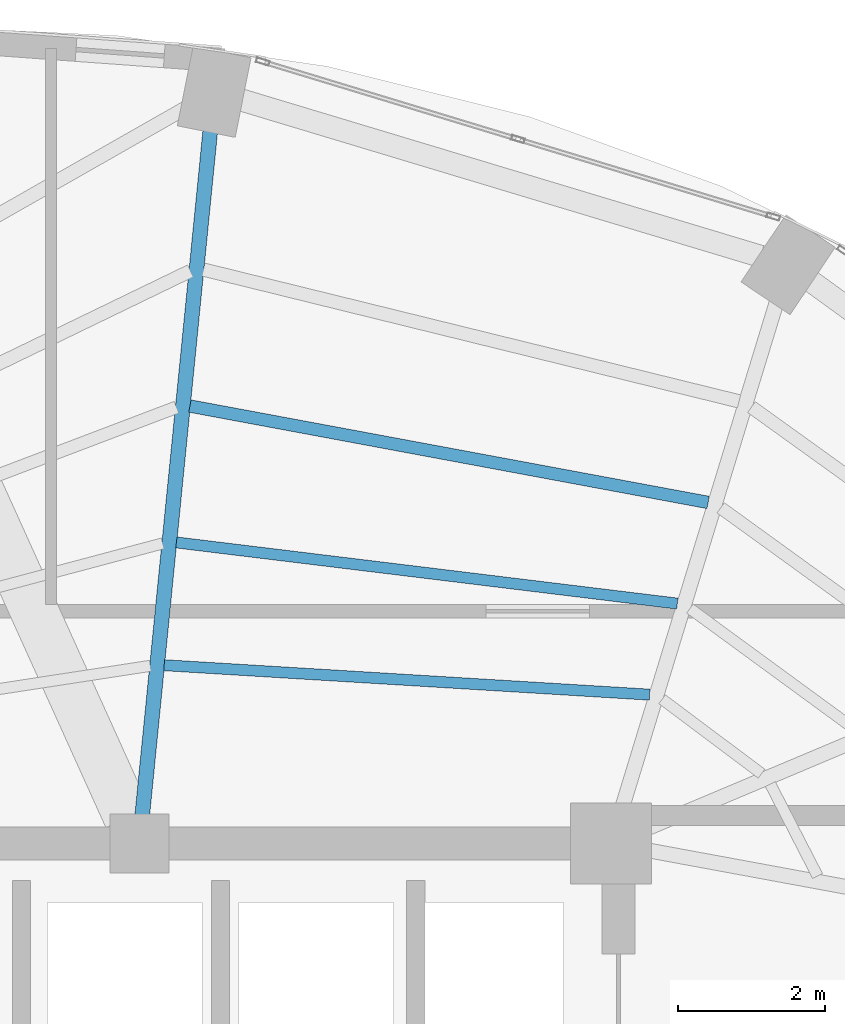
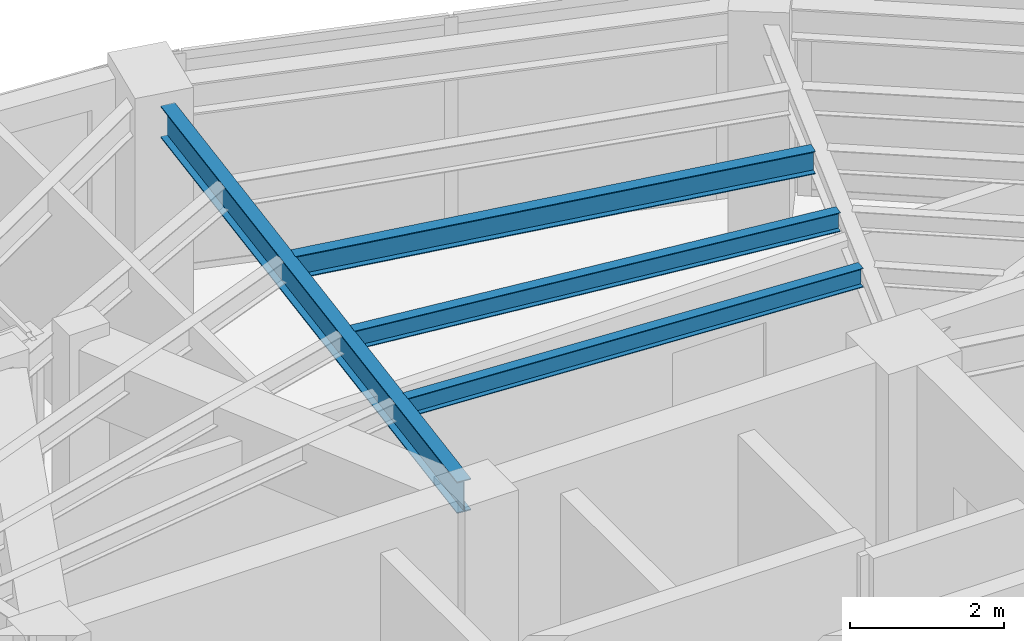
# One storey, part 12 of 22: 4 beams.
"""IFC4 building model written with IfcOpenShell, lengths in metres."""

from ifc_helpers import new_model, si_unit, direction, frame, origin, origin_2d, place, context, subcontext, project, spatial, i_section, extrude, material, material_profile, profile_set, type_object, element, save


model = new_model("IFC4")

# Units and contexts
model_context = context("Model", 3, precision=1e-05, world=origin(), true_north=direction((0.0, 1.0)))
body_context = subcontext(model_context, "Body", "Model", "MODEL_VIEW")
ifc_project = project(units=[si_unit("LENGTHUNIT", "METRE"), si_unit("AREAUNIT", "SQUARE_METRE"), si_unit("VOLUMEUNIT", "CUBIC_METRE"), si_unit("PLANEANGLEUNIT", "RADIAN"), si_unit("MASSUNIT", "GRAM", prefix="KILO")], contexts=[model_context])

# Site, building, storey
site_placement = place(None, origin())
site = spatial("IfcSite", under=ifc_project, at=site_placement, CompositionType="ELEMENT")
building_placement = place(site_placement, origin())
building = spatial("IfcBuilding", under=site, at=building_placement, Name="Lazwardi Medical Tower", CompositionType="ELEMENT")
storey_placement = place(building_placement, frame((0.0, 0.0, 255.02392578125)))
storey = spatial("IfcBuildingStorey", under=building, at=storey_placement, Name="L66", CompositionType="ELEMENT", Elevation=255.02392578125)

# Beams
ifc_material = material(Name="Steel S355", Category="steel")
ifc_material_profile_1 = material_profile(ifc_material, i_section(OverallWidth=0.199951171875, OverallDepth=0.5, WebThickness=0.01025390625, FlangeThickness=0.01611328125, at=origin_2d()), Name="IPE 500")
ifc_profile_set_1 = profile_set([ifc_material_profile_1], Name="Steel S355")
beam_type_1 = type_object("IfcBeamType", Name="BM-RG-W3", PredefinedType="BEAM", material=ifc_profile_set_1)
beam_1_placement = place(storey_placement, frame((40.1611328125, 45.265869140625, 3.197998046875), z_axis=(-0.098954361922, -0.995091972763, 0.0), x_axis=(0.995091972763, -0.098954361922, 0.0)))
element("IfcBeam", 1, at=beam_1_placement, inside=storey, type_object=beam_type_1, Name="Radial girder RG-04 R08 L66", PredefinedType="BEAM", context=body_context, shape_type="SweptSolid", body=[
    extrude(i_section(OverallWidth=0.199951171875, OverallDepth=0.5, WebThickness=0.01025390625, FlangeThickness=0.01611328125, at=origin_2d()), origin(), (0.0, 0.0, 1.0), 9.32861328125),
])
ifc_material_profile_2 = material_profile(ifc_material, i_section(OverallWidth=0.169921875, OverallDepth=0.360107421875, WebThickness=0.008056640625, FlangeThickness=0.0126953125, at=origin_2d()), Name="IPE 360")
ifc_profile_set_2 = profile_set([ifc_material_profile_2], Name="Steel S355")
beam_type_2 = type_object("IfcBeamType", Name="BM-SJ-02", PredefinedType="JOIST", material=ifc_profile_set_2)
beam_2_placement = place(storey_placement, frame((46.91552734375, 40.2275390625, 3.26806640625), z_axis=(-0.983132476587, 0.182894870019, 0.0), x_axis=(-0.182894870019, -0.983132476587, 0.0)))
element("IfcBeam", 2, at=beam_2_placement, inside=storey, type_object=beam_type_2, Name="Secondary joist SJ-02 R2 B07 L66", PredefinedType="JOIST", context=body_context, shape_type="SweptSolid", body=[
    extrude(i_section(OverallWidth=0.169921875, OverallDepth=0.360107421875, WebThickness=0.008056640625, FlangeThickness=0.0126953125, at=origin_2d()), origin(), (0.0, 0.0, 1.0), 7.15087890625),
])
ifc_material_profile_3 = material_profile(ifc_material, i_section(OverallWidth=0.14990234375, OverallDepth=0.300048828125, WebThickness=0.007080078125, FlangeThickness=0.0107421875, at=origin_2d()), Name="IPE 300")
ifc_profile_set_3 = profile_set([ifc_material_profile_3], Name="Steel S355")
beam_type_3 = type_object("IfcBeamType", Name="BM-SJ-03", PredefinedType="JOIST", material=ifc_profile_set_3)
beam_3_placement = place(storey_placement, frame((46.4970703125, 38.85546875, 3.298095703125), z_axis=(-0.992634689535, 0.121146081783, 0.0), x_axis=(-0.121146081783, -0.992634689535, 0.0)))
element("IfcBeam", 3, at=beam_3_placement, inside=storey, type_object=beam_type_3, Name="Secondary joist SJ-03 R3 B07 L66", PredefinedType="JOIST", context=body_context, shape_type="SweptSolid", body=[
    extrude(i_section(OverallWidth=0.14990234375, OverallDepth=0.300048828125, WebThickness=0.007080078125, FlangeThickness=0.0107421875, at=origin_2d()), origin(), (0.0, 0.0, 1.0), 6.845947265625),
])
beam_4_placement = place(storey_placement, frame((46.120849609375, 37.6201171875, 3.298095703125), z_axis=(-0.998165515862, 0.060544223044, 0.0), x_axis=(-0.060544223044, -0.998165515862, 0.0)))
element("IfcBeam", 4, at=beam_4_placement, inside=storey, type_object=beam_type_3, Name="Secondary joist SJ-03 R4 B07 L66", PredefinedType="JOIST", context=body_context, shape_type="SweptSolid", body=[
    extrude(i_section(OverallWidth=0.14990234375, OverallDepth=0.300048828125, WebThickness=0.007080078125, FlangeThickness=0.0107421875, at=origin_2d()), origin(), (0.0, 0.0, 1.0), 6.59716796875),
])

save(model, "model.ifc")
